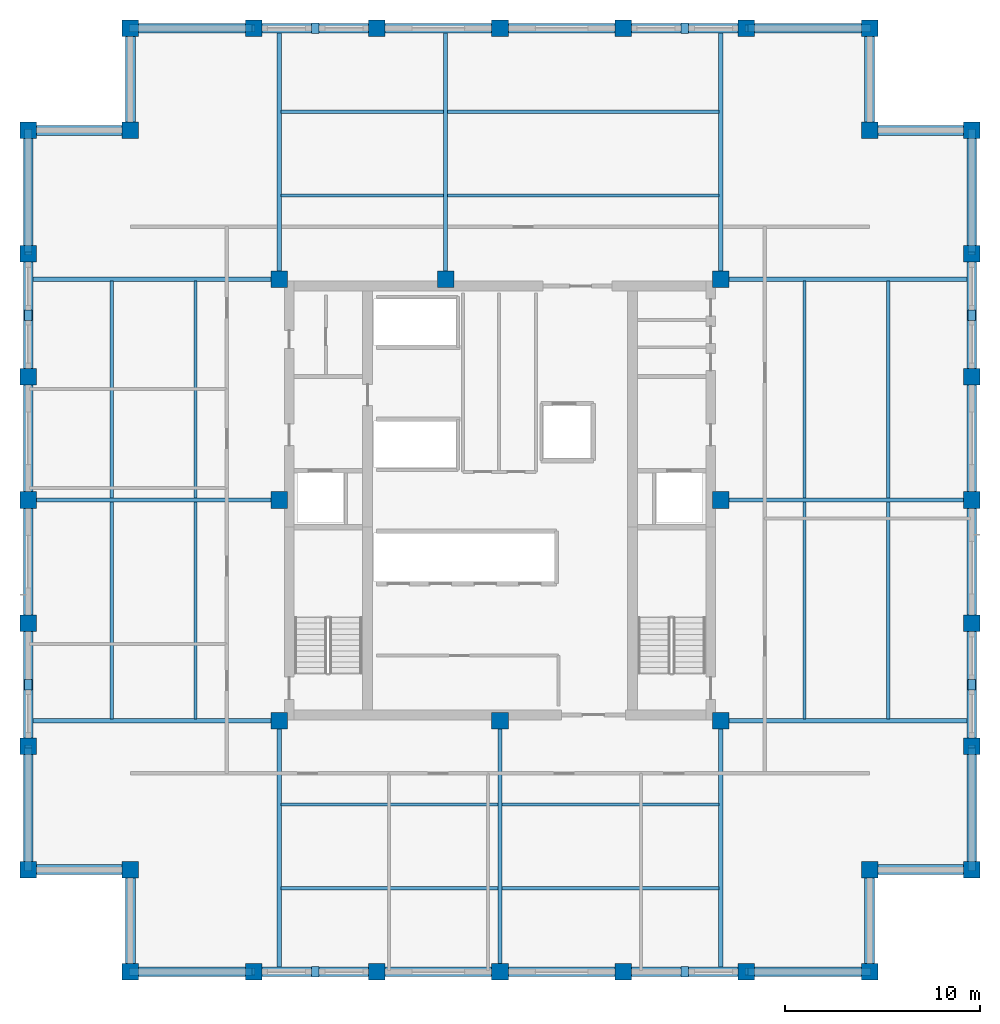
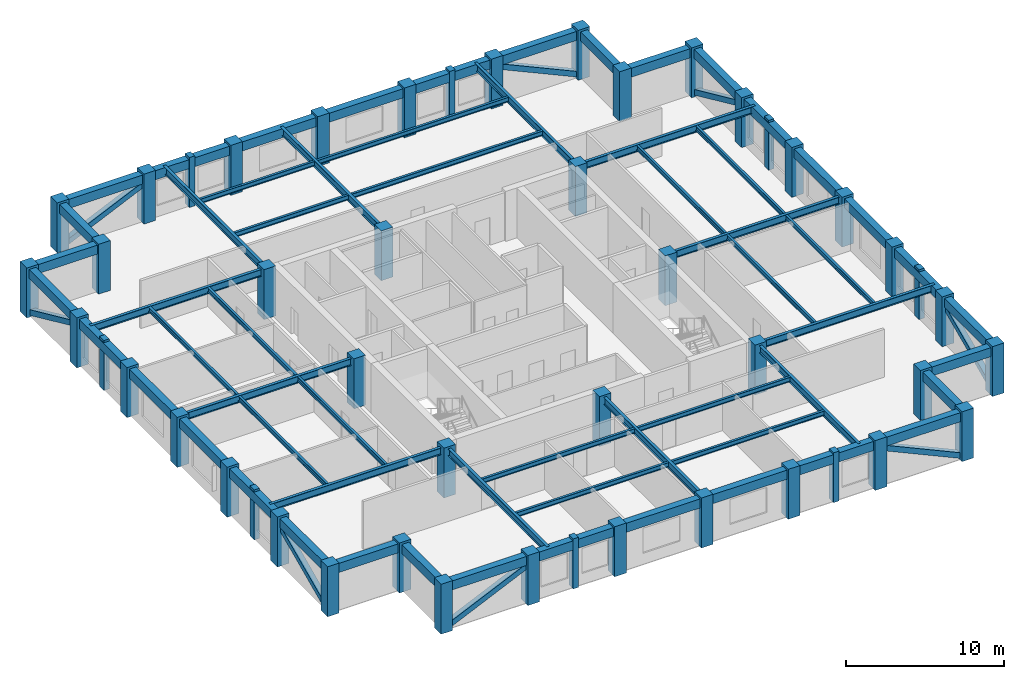
# One storey, part 1 of 9: 60 beams, 40 columns, 16 members.
"""IFC4 building model written with IfcOpenShell, lengths in metres."""

from ifc_helpers import new_model, si_unit, direction, frame, origin, origin_2d, place, context, subcontext, project, spatial, rectangle, hollow_rectangle, i_section, extrude, material, material_profile, profile_set, type_object, element, save


model = new_model("IFC4")

# Units and contexts
model_context = context("Model", 3, precision=1e-05, world=origin(), true_north=direction((0.0, 1.0)))
body_context = subcontext(model_context, "Body", "Model", "MODEL_VIEW")
ifc_project = project(units=[si_unit("LENGTHUNIT", "METRE"), si_unit("AREAUNIT", "SQUARE_METRE"), si_unit("VOLUMEUNIT", "CUBIC_METRE"), si_unit("PLANEANGLEUNIT", "RADIAN"), si_unit("MASSUNIT", "GRAM", prefix="KILO")], contexts=[model_context])

# Site, building, storey
site_placement = place(None, origin())
site = spatial("IfcSite", under=ifc_project, at=site_placement, CompositionType="ELEMENT")
building_placement = place(site_placement, origin())
building = spatial("IfcBuilding", under=site, at=building_placement, Name="Nhamokura Convention Tower", CompositionType="ELEMENT")
storey_placement = place(building_placement, frame((0.0, 0.0, 229.25)))
storey = spatial("IfcBuildingStorey", under=building, at=storey_placement, Name="L56", CompositionType="ELEMENT", Elevation=229.25)

# Columns
ifc_material_1 = material(Name="Concrete C50/60", Category="concrete")
ifc_material_profile_1 = material_profile(ifc_material_1, rectangle(XDim=0.85009765625, YDim=0.85009765625, at=origin_2d()))
ifc_profile_set_1 = profile_set([ifc_material_profile_1], Name="Concrete C50/60")
column_type = type_object("IfcColumnType", Name="TubeColumn_Z3_850", PredefinedType="COLUMN", material=ifc_profile_set_1)
for number, where, z_axis, x_axis, name in (
    (1, (20.64990234375, 20.64990234375, 0.0), (0.0, 0.0, 1.0), (1.0, 0.0, 0.0), "L56 Core Column CC-SW"),
    (2, (32.0, 20.64990234375, 0.0), (0.0, 0.0, 1.0), (1.0, 0.0, 0.0), "L56 Core Column CC-S"),
    (3, (43.35009765625, 20.64990234375, 0.0), (0.0, 0.0, 1.0), (1.0, 0.0, 0.0), "L56 Core Column CC-SE"),
    (4, (43.35009765625, 32.0, 0.0), (0.0, 0.0, 1.0), (1.0, 0.0, 0.0), "L56 Core Column CC-E"),
    (5, (43.35009765625, 43.35009765625, 0.0), (0.0, 0.0, 1.0), (1.0, 0.0, 0.0), "L56 Core Column CC-NE"),
    (6, (29.199951171875, 43.35009765625, 0.0), (0.0, 0.0, 1.0), (1.0, 0.0, 0.0), "L56 Core Column CC-N"),
    (7, (20.64990234375, 43.35009765625, 0.0), (0.0, 0.0, 1.0), (1.0, 0.0, 0.0), "L56 Core Column CC-NW"),
    (8, (20.64990234375, 32.0, 0.0), (0.0, 0.0, 1.0), (1.0, 0.0, 0.0), "L56 Core Column CC-W"),
    (9, (13.0, 7.75, 0.0), (0.0, 0.0, 1.0), (1.0, 0.0, 0.0), "L56 Perimeter Tube Column SW1"),
    (10, (13.0, 13.0, 0.0), (0.0, 0.0, 1.0), (1.0, 0.0, 0.0), "L56 Perimeter Tube Column SW0"),
    (11, (7.75, 13.0, 0.0), (0.0, 0.0, 1.0), (1.0, 0.0, 0.0), "L56 Perimeter Tube Column SW2"),
    (12, (51.0, 7.75, 0.0), (0.0, 0.0, 1.0), (1.0, 0.0, 0.0), "L56 Perimeter Tube Column SE1"),
    (13, (51.0, 13.0, 0.0), (0.0, 0.0, 1.0), (1.0, 0.0, 0.0), "L56 Perimeter Tube Column SE0"),
    (14, (56.25, 13.0, 0.0), (0.0, 0.0, 1.0), (1.0, 0.0, 0.0), "L56 Perimeter Tube Column SE2"),
    (15, (56.25, 51.0, 0.0), (0.0, 0.0, 1.0), (1.0, 0.0, 0.0), "L56 Perimeter Tube Column NE1"),
    (16, (51.0, 51.0, 0.0), (0.0, 0.0, 1.0), (1.0, 0.0, 0.0), "L56 Perimeter Tube Column NE0"),
    (17, (51.0, 56.25, 0.0), (0.0, 0.0, 1.0), (1.0, 0.0, 0.0), "L56 Perimeter Tube Column NE2"),
    (18, (13.0, 56.25, 0.0), (0.0, 0.0, 1.0), (1.0, 0.0, 0.0), "L56 Perimeter Tube Column NW1"),
    (19, (13.0, 51.0, 0.0), (0.0, 0.0, 1.0), (1.0, 0.0, 0.0), "L56 Perimeter Tube Column NW0"),
    (20, (7.75, 51.0, 0.0), (0.0, 0.0, 1.0), (1.0, 0.0, 0.0), "L56 Perimeter Tube Column NW2"),
    (21, (19.333251953125, 7.75, 0.0), (0.0, 0.0, 1.0), (1.0, 0.0, 0.0), "L56 Perimeter Tube Column S1"),
    (22, (19.333251953125, 56.25, 0.0), (0.0, 0.0, 1.0), (1.0, 0.0, 0.0), "L56 Perimeter Tube Column N1"),
    (23, (7.75, 19.333251953125, 0.0), (0.0, 0.0, 1.0), (1.0, 0.0, 0.0), "L56 Perimeter Tube Column W1"),
    (24, (56.25, 19.333251953125, 0.0), (0.0, 0.0, 1.0), (1.0, 0.0, 0.0), "L56 Perimeter Tube Column E1"),
    (25, (25.666748046875, 7.75, 0.0), (0.0, 0.0, 1.0), (1.0, 0.0, 0.0), "L56 Perimeter Tube Column S2"),
    (26, (25.666748046875, 56.25, 0.0), (0.0, 0.0, 1.0), (1.0, 0.0, 0.0), "L56 Perimeter Tube Column N2"),
    (27, (7.75, 25.666748046875, 0.0), (0.0, 0.0, 1.0), (1.0, 0.0, 0.0), "L56 Perimeter Tube Column W2"),
    (28, (56.25, 25.666748046875, 0.0), (0.0, 0.0, 1.0), (1.0, 0.0, 0.0), "L56 Perimeter Tube Column E2"),
    (29, (32.0, 7.75, 0.0), (0.0, 0.0, 1.0), (1.0, 0.0, 0.0), "L56 Perimeter Tube Column S3"),
    (30, (32.0, 56.25, 0.0), (0.0, 0.0, 1.0), (1.0, 0.0, 0.0), "L56 Perimeter Tube Column N3"),
    (31, (7.75, 32.0, 0.0), (0.0, 0.0, 1.0), (1.0, 0.0, 0.0), "L56 Perimeter Tube Column W3"),
    (32, (56.25, 32.0, 0.0), (0.0, 0.0, 1.0), (1.0, 0.0, 0.0), "L56 Perimeter Tube Column E3"),
    (33, (38.333251953125, 7.75, 0.0), (0.0, 0.0, 1.0), (1.0, 0.0, 0.0), "L56 Perimeter Tube Column S4"),
    (34, (38.333251953125, 56.25, 0.0), (0.0, 0.0, 1.0), (1.0, 0.0, 0.0), "L56 Perimeter Tube Column N4"),
    (35, (7.75, 38.333251953125, 0.0), (0.0, 0.0, 1.0), (1.0, 0.0, 0.0), "L56 Perimeter Tube Column W4"),
    (36, (56.25, 38.333251953125, 0.0), (0.0, 0.0, 1.0), (1.0, 0.0, 0.0), "L56 Perimeter Tube Column E4"),
    (37, (44.666748046875, 7.75, 0.0), (0.0, 0.0, 1.0), (1.0, 0.0, 0.0), "L56 Perimeter Tube Column S5"),
    (38, (44.666748046875, 56.25, 0.0), (0.0, 0.0, 1.0), (1.0, 0.0, 0.0), "L56 Perimeter Tube Column N5"),
    (39, (7.75, 44.666748046875, 0.0), (0.0, 0.0, 1.0), (1.0, 0.0, 0.0), "L56 Perimeter Tube Column W5"),
    (40, (56.25, 44.666748046875, 0.0), (0.0, 0.0, 1.0), (1.0, 0.0, 0.0), "L56 Perimeter Tube Column E5"),
):
    element("IfcColumn", number, at=place(storey_placement, frame(where, z_axis=z_axis, x_axis=x_axis)), inside=storey, type_object=column_type, Name=name, PredefinedType="COLUMN", context=body_context, shape_type="SweptSolid", body=[
        extrude(rectangle(XDim=0.85009765625, YDim=0.85009765625, at=origin_2d()), origin(), (0.0, 0.0, 1.0), 3.85009765625),
    ])

# Members
ifc_material_2 = material(Name="Bronze-pigmented precast concrete C45/55", Category="concrete")
ifc_material_profile_2 = material_profile(ifc_material_2, rectangle(XDim=0.39990234375, YDim=0.550048828125, at=origin_2d()))
ifc_profile_set_2 = profile_set([ifc_material_profile_2], Name="Bronze-pigmented precast concrete C45/55")
member_type_1 = type_object("IfcMemberType", Name="BronzePilaster_550", PredefinedType="USERDEFINED", material=ifc_profile_set_2)
for number, where, z_axis, x_axis, name in (
    (41, (22.5, 7.75, 0.0), (0.0, 0.0, 1.0), (1.0, 0.0, 0.0), "L56 Engaged Frame Pilaster SOUTH 1"),
    (42, (41.5, 7.75, 0.0), (0.0, 0.0, 1.0), (1.0, 0.0, 0.0), "L56 Engaged Frame Pilaster SOUTH 4"),
    (43, (22.5, 56.25, 0.0), (0.0, 0.0, 1.0), (1.0, 0.0, 0.0), "L56 Engaged Frame Pilaster NORTH 1"),
    (44, (41.5, 56.25, 0.0), (0.0, 0.0, 1.0), (1.0, 0.0, 0.0), "L56 Engaged Frame Pilaster NORTH 4"),
    (45, (7.75, 22.5, 0.0), (0.0, 0.0, 1.0), (1.0, 0.0, 0.0), "L56 Engaged Frame Pilaster WEST 1"),
    (46, (7.75, 41.5, 0.0), (0.0, 0.0, 1.0), (1.0, 0.0, 0.0), "L56 Engaged Frame Pilaster WEST 4"),
    (47, (56.25, 22.5, 0.0), (0.0, 0.0, 1.0), (1.0, 0.0, 0.0), "L56 Engaged Frame Pilaster EAST 1"),
    (48, (56.25, 41.5, 0.0), (0.0, 0.0, 1.0), (1.0, 0.0, 0.0), "L56 Engaged Frame Pilaster EAST 4"),
):
    element("IfcMember", number, at=place(storey_placement, frame(where, z_axis=z_axis, x_axis=x_axis)), inside=storey, type_object=member_type_1, Name=name, ObjectType="PILASTER_TRIM", PredefinedType="USERDEFINED", context=body_context, shape_type="SweptSolid", body=[
        extrude(rectangle(XDim=0.39990234375, YDim=0.550048828125, at=origin_2d()), origin(), (0.0, 0.0, 1.0), 3.85009765625),
    ])

# Beams
ifc_material_3 = material(Name="Steel ASTM A992 Gr 50", Category="steel")
ifc_material_profile_3 = material_profile(ifc_material_3, i_section(OverallWidth=0.172119140625, OverallDepth=0.35791015625, WebThickness=0.0078125, FlangeThickness=0.01318359375, at=origin_2d()))
ifc_profile_set_3 = profile_set([ifc_material_profile_3], Name="Steel ASTM A992 Gr 50")
beam_type_1 = type_object("IfcBeamType", Name="FloorJoist_W360X57", PredefinedType="JOIST", material=ifc_profile_set_3)
for number, where, z_axis, x_axis, name in (
    (49, (20.75341796875, 12.050048828125, 3.506103515625), (1.0, 0.0, 0.0), (0.0, 1.0, 0.0), "L56 Composite Floor Joist S1A"),
    (50, (32.103515625, 12.050048828125, 3.506103515625), (1.0, 0.0, 0.0), (0.0, 1.0, 0.0), "L56 Composite Floor Joist S1B"),
    (51, (20.75341796875, 16.35009765625, 3.506103515625), (1.0, 0.0, 0.0), (0.0, 1.0, 0.0), "L56 Composite Floor Joist S2A"),
    (52, (32.103515625, 16.35009765625, 3.506103515625), (1.0, 0.0, 0.0), (0.0, 1.0, 0.0), "L56 Composite Floor Joist S2B"),
):
    element("IfcBeam", number, at=place(storey_placement, frame(where, z_axis=z_axis, x_axis=x_axis)), inside=storey, type_object=beam_type_1, Name=name, PredefinedType="JOIST", context=body_context, shape_type="SweptSolid", body=[
        extrude(i_section(OverallWidth=0.172119140625, OverallDepth=0.35791015625, WebThickness=0.0078125, FlangeThickness=0.01318359375, at=origin_2d()), origin(), (0.0, 0.0, 1.0), 11.14306640625),
    ])
beam_1_placement = place(storey_placement, frame((20.75341796875, 47.64990234375, 3.506103515625), z_axis=(1.0, 0.0, 0.0), x_axis=(0.0, 1.0, 0.0)))
element("IfcBeam", 53, at=beam_1_placement, inside=storey, type_object=beam_type_1, Name="L56 Composite Floor Joist N1A", PredefinedType="JOIST", context=body_context, shape_type="SweptSolid", body=[
    extrude(i_section(OverallWidth=0.172119140625, OverallDepth=0.35791015625, WebThickness=0.0078125, FlangeThickness=0.01318359375, at=origin_2d()), origin(), (0.0, 0.0, 1.0), 8.343017578125),
])
beam_2_placement = place(storey_placement, frame((29.303466796875, 47.64990234375, 3.506103515625), z_axis=(1.0, 0.0, 0.0), x_axis=(0.0, 1.0, 0.0)))
element("IfcBeam", 54, at=beam_2_placement, inside=storey, type_object=beam_type_1, Name="L56 Composite Floor Joist N1B", PredefinedType="JOIST", context=body_context, shape_type="SweptSolid", body=[
    extrude(i_section(OverallWidth=0.172119140625, OverallDepth=0.35791015625, WebThickness=0.0078125, FlangeThickness=0.01318359375, at=origin_2d()), origin(), (0.0, 0.0, 1.0), 13.943115234375),
])
beam_3_placement = place(storey_placement, frame((20.75341796875, 51.949951171875, 3.506103515625), z_axis=(1.0, 0.0, 0.0), x_axis=(0.0, 1.0, 0.0)))
element("IfcBeam", 55, at=beam_3_placement, inside=storey, type_object=beam_type_1, Name="L56 Composite Floor Joist N2A", PredefinedType="JOIST", context=body_context, shape_type="SweptSolid", body=[
    extrude(i_section(OverallWidth=0.172119140625, OverallDepth=0.35791015625, WebThickness=0.0078125, FlangeThickness=0.01318359375, at=origin_2d()), origin(), (0.0, 0.0, 1.0), 8.343017578125),
])
beam_4_placement = place(storey_placement, frame((29.303466796875, 51.949951171875, 3.506103515625), z_axis=(1.0, 0.0, 0.0), x_axis=(0.0, 1.0, 0.0)))
element("IfcBeam", 56, at=beam_4_placement, inside=storey, type_object=beam_type_1, Name="L56 Composite Floor Joist N2B", PredefinedType="JOIST", context=body_context, shape_type="SweptSolid", body=[
    extrude(i_section(OverallWidth=0.172119140625, OverallDepth=0.35791015625, WebThickness=0.0078125, FlangeThickness=0.01318359375, at=origin_2d()), origin(), (0.0, 0.0, 1.0), 13.943115234375),
])
for number, where, z_axis, x_axis, name in (
    (57, (12.050048828125, 20.75341796875, 3.506103515625), (0.0, 1.0, 0.0), (-1.0, 0.0, 0.0), "L56 Composite Floor Joist W1A"),
    (58, (12.050048828125, 32.103515625, 3.506103515625), (0.0, 1.0, 0.0), (-1.0, 0.0, 0.0), "L56 Composite Floor Joist W1B"),
    (59, (16.35009765625, 20.75341796875, 3.506103515625), (0.0, 1.0, 0.0), (-1.0, 0.0, 0.0), "L56 Composite Floor Joist W2A"),
    (60, (16.35009765625, 32.103515625, 3.506103515625), (0.0, 1.0, 0.0), (-1.0, 0.0, 0.0), "L56 Composite Floor Joist W2B"),
    (61, (47.64990234375, 20.75341796875, 3.506103515625), (0.0, 1.0, 0.0), (-1.0, 0.0, 0.0), "L56 Composite Floor Joist E1A"),
    (62, (47.64990234375, 32.103515625, 3.506103515625), (0.0, 1.0, 0.0), (-1.0, 0.0, 0.0), "L56 Composite Floor Joist E1B"),
    (63, (51.949951171875, 20.75341796875, 3.506103515625), (0.0, 1.0, 0.0), (-1.0, 0.0, 0.0), "L56 Composite Floor Joist E2A"),
    (64, (51.949951171875, 32.103515625, 3.506103515625), (0.0, 1.0, 0.0), (-1.0, 0.0, 0.0), "L56 Composite Floor Joist E2B"),
):
    element("IfcBeam", number, at=place(storey_placement, frame(where, z_axis=z_axis, x_axis=x_axis)), inside=storey, type_object=beam_type_1, Name=name, PredefinedType="JOIST", context=body_context, shape_type="SweptSolid", body=[
        extrude(i_section(OverallWidth=0.172119140625, OverallDepth=0.35791015625, WebThickness=0.0078125, FlangeThickness=0.01318359375, at=origin_2d()), origin(), (0.0, 0.0, 1.0), 11.14306640625),
    ])
ifc_material_4 = material(Name="Steel ASTM A992 Gr 50", Category="steel")
ifc_material_profile_4 = material_profile(ifc_material_4, i_section(OverallWidth=0.2109375, OverallDepth=0.5390625, WebThickness=0.01171875, FlangeThickness=0.018798828125, at=origin_2d()))
ifc_profile_set_4 = profile_set([ifc_material_profile_4], Name="Steel ASTM A992 Gr 50")
beam_type_2 = type_object("IfcBeamType", Name="PrimaryGirder_W530X109", PredefinedType="BEAM", material=ifc_profile_set_4)
for number, where, z_axis, x_axis, name in (
    (65, (20.64990234375, 7.75, 3.41552734375), (0.0, 1.0, 0.0), (-1.0, 0.0, 0.0), "L56 Primary Floor Girder PG-S1"),
    (66, (32.0, 7.75, 3.41552734375), (0.0, 1.0, 0.0), (-1.0, 0.0, 0.0), "L56 Primary Floor Girder PG-S2"),
    (67, (43.35009765625, 7.75, 3.41552734375), (0.0, 1.0, 0.0), (-1.0, 0.0, 0.0), "L56 Primary Floor Girder PG-S3"),
    (68, (20.64990234375, 43.35009765625, 3.41552734375), (0.0, 1.0, 0.0), (-1.0, 0.0, 0.0), "L56 Primary Floor Girder PG-N1"),
    (69, (29.199951171875, 43.35009765625, 3.41552734375), (0.0, 1.0, 0.0), (-1.0, 0.0, 0.0), "L56 Primary Floor Girder PG-N2"),
    (70, (43.35009765625, 43.35009765625, 3.41552734375), (0.0, 1.0, 0.0), (-1.0, 0.0, 0.0), "L56 Primary Floor Girder PG-N3"),
    (71, (7.75, 20.64990234375, 3.41552734375), (1.0, 0.0, 0.0), (0.0, 1.0, 0.0), "L56 Primary Floor Girder PG-W1"),
    (72, (7.75, 32.0, 3.41552734375), (1.0, 0.0, 0.0), (0.0, 1.0, 0.0), "L56 Primary Floor Girder PG-W2"),
    (73, (7.75, 43.35009765625, 3.41552734375), (1.0, 0.0, 0.0), (0.0, 1.0, 0.0), "L56 Primary Floor Girder PG-W3"),
    (74, (43.35009765625, 20.64990234375, 3.41552734375), (1.0, 0.0, 0.0), (0.0, 1.0, 0.0), "L56 Primary Floor Girder PG-E1"),
    (75, (43.35009765625, 32.0, 3.41552734375), (1.0, 0.0, 0.0), (0.0, 1.0, 0.0), "L56 Primary Floor Girder PG-E2"),
    (76, (43.35009765625, 43.35009765625, 3.41552734375), (1.0, 0.0, 0.0), (0.0, 1.0, 0.0), "L56 Primary Floor Girder PG-E3"),
):
    element("IfcBeam", number, at=place(storey_placement, frame(where, z_axis=z_axis, x_axis=x_axis)), inside=storey, type_object=beam_type_2, Name=name, PredefinedType="BEAM", context=body_context, shape_type="SweptSolid", body=[
        extrude(i_section(OverallWidth=0.2109375, OverallDepth=0.5390625, WebThickness=0.01171875, FlangeThickness=0.018798828125, at=origin_2d()), origin(), (0.0, 0.0, 1.0), 12.89990234375),
    ])

# Members
ifc_material_5 = material(Name="Steel ASTM A572 Gr 50", Category="steel")
ifc_material_profile_5 = material_profile(ifc_material_5, hollow_rectangle(XDim=0.39990234375, YDim=0.39990234375, WallThickness=0.02001953125, at=origin_2d()))
ifc_profile_set_5 = profile_set([ifc_material_profile_5], Name="Steel ASTM A572 Gr 50")
member_type_2 = type_object("IfcMemberType", Name="TubeBrace_HSS400", PredefinedType="BRACE", material=ifc_profile_set_5)
for number, where, z_axis, x_axis, name in (
    (77, (13.0, 7.75, 0.14990234375), (0.910027379678, 0.0, 0.41454814948), (0.0, 1.0, 0.0), "L56 Perimeter Tube Brace SOUTH Bay 0"),
    (78, (51.0, 7.75, 0.14990234375), (-0.910027379678, 0.0, 0.41454814948), (0.0, -1.0, 0.0), "L56 Perimeter Tube Brace SOUTH Bay 5"),
    (79, (13.0, 56.25, 0.14990234375), (0.910027379678, 0.0, 0.41454814948), (0.0, 1.0, 0.0), "L56 Perimeter Tube Brace NORTH Bay 0"),
    (80, (51.0, 56.25, 0.14990234375), (-0.910027379678, 0.0, 0.41454814948), (0.0, -1.0, 0.0), "L56 Perimeter Tube Brace NORTH Bay 5"),
    (81, (7.75, 13.0, 0.14990234375), (0.0, 0.910027379678, 0.41454814948), (-1.0, 0.0, 0.0), "L56 Perimeter Tube Brace WEST Bay 0"),
    (82, (7.75, 51.0, 0.14990234375), (0.0, -0.910027379678, 0.41454814948), (1.0, 0.0, 0.0), "L56 Perimeter Tube Brace WEST Bay 5"),
    (83, (56.25, 13.0, 0.14990234375), (0.0, 0.910027379678, 0.41454814948), (-1.0, 0.0, 0.0), "L56 Perimeter Tube Brace EAST Bay 0"),
    (84, (56.25, 51.0, 0.14990234375), (0.0, -0.910027379678, 0.41454814948), (1.0, 0.0, 0.0), "L56 Perimeter Tube Brace EAST Bay 5"),
):
    element("IfcMember", number, at=place(storey_placement, frame(where, z_axis=z_axis, x_axis=x_axis)), inside=storey, type_object=member_type_2, Name=name, PredefinedType="BRACE", context=body_context, shape_type="SweptSolid", body=[
        extrude(hollow_rectangle(XDim=0.39990234375, YDim=0.39990234375, WallThickness=0.02001953125, at=origin_2d()), origin(), (0.0, 0.0, 1.0), 6.95947265625),
    ])

# Beams
ifc_material_6 = material(Name="Concrete C50/60", Category="concrete")
ifc_material_profile_6 = material_profile(ifc_material_6, rectangle(XDim=0.5, YDim=0.699951171875, at=origin_2d()))
ifc_profile_set_6 = profile_set([ifc_material_profile_6], Name="Concrete C50/60")
beam_type_3 = type_object("IfcBeamType", Name="TubeSpandrel_700", PredefinedType="SPANDREL", material=ifc_profile_set_6)
beam_5_placement = place(storey_placement, frame((13.0, 7.75, 3.3349609375), z_axis=(1.0, 0.0, 0.0), x_axis=(0.0, 1.0, 0.0)))
element("IfcBeam", 85, at=beam_5_placement, inside=storey, type_object=beam_type_3, Name="L56 Perimeter Spandrel SOUTH 1", PredefinedType="SPANDREL", context=body_context, shape_type="SweptSolid", body=[
    extrude(rectangle(XDim=0.5, YDim=0.699951171875, at=origin_2d()), origin(), (0.0, 0.0, 1.0), 6.333251953125),
])
beam_6_placement = place(storey_placement, frame((19.333251953125, 7.75, 3.3349609375), z_axis=(1.0, 0.0, 0.0), x_axis=(0.0, 1.0, 0.0)))
element("IfcBeam", 86, at=beam_6_placement, inside=storey, type_object=beam_type_3, Name="L56 Perimeter Spandrel SOUTH 2", PredefinedType="SPANDREL", context=body_context, shape_type="SweptSolid", body=[
    extrude(rectangle(XDim=0.5, YDim=0.699951171875, at=origin_2d()), origin(), (0.0, 0.0, 1.0), 6.33349609375),
])
for number, where, z_axis, x_axis, name in (
    (87, (25.666748046875, 7.75, 3.3349609375), (1.0, 0.0, 0.0), (0.0, 1.0, 0.0), "L56 Perimeter Spandrel SOUTH 3"),
    (88, (32.0, 7.75, 3.3349609375), (1.0, 0.0, 0.0), (0.0, 1.0, 0.0), "L56 Perimeter Spandrel SOUTH 4"),
):
    element("IfcBeam", number, at=place(storey_placement, frame(where, z_axis=z_axis, x_axis=x_axis)), inside=storey, type_object=beam_type_3, Name=name, PredefinedType="SPANDREL", context=body_context, shape_type="SweptSolid", body=[
        extrude(rectangle(XDim=0.5, YDim=0.699951171875, at=origin_2d()), origin(), (0.0, 0.0, 1.0), 6.333251953125),
    ])
beam_7_placement = place(storey_placement, frame((38.333251953125, 7.75, 3.3349609375), z_axis=(1.0, 0.0, 0.0), x_axis=(0.0, 1.0, 0.0)))
element("IfcBeam", 89, at=beam_7_placement, inside=storey, type_object=beam_type_3, Name="L56 Perimeter Spandrel SOUTH 5", PredefinedType="SPANDREL", context=body_context, shape_type="SweptSolid", body=[
    extrude(rectangle(XDim=0.5, YDim=0.699951171875, at=origin_2d()), origin(), (0.0, 0.0, 1.0), 6.33349609375),
])
for number, where, z_axis, x_axis, name in (
    (90, (44.666748046875, 7.75, 3.3349609375), (1.0, 0.0, 0.0), (0.0, 1.0, 0.0), "L56 Perimeter Spandrel SOUTH 6"),
    (91, (13.0, 56.25, 3.3349609375), (1.0, 0.0, 0.0), (0.0, 1.0, 0.0), "L56 Perimeter Spandrel NORTH 1"),
):
    element("IfcBeam", number, at=place(storey_placement, frame(where, z_axis=z_axis, x_axis=x_axis)), inside=storey, type_object=beam_type_3, Name=name, PredefinedType="SPANDREL", context=body_context, shape_type="SweptSolid", body=[
        extrude(rectangle(XDim=0.5, YDim=0.699951171875, at=origin_2d()), origin(), (0.0, 0.0, 1.0), 6.333251953125),
    ])
beam_8_placement = place(storey_placement, frame((19.333251953125, 56.25, 3.3349609375), z_axis=(1.0, 0.0, 0.0), x_axis=(0.0, 1.0, 0.0)))
element("IfcBeam", 92, at=beam_8_placement, inside=storey, type_object=beam_type_3, Name="L56 Perimeter Spandrel NORTH 2", PredefinedType="SPANDREL", context=body_context, shape_type="SweptSolid", body=[
    extrude(rectangle(XDim=0.5, YDim=0.699951171875, at=origin_2d()), origin(), (0.0, 0.0, 1.0), 6.33349609375),
])
for number, where, z_axis, x_axis, name in (
    (93, (25.666748046875, 56.25, 3.3349609375), (1.0, 0.0, 0.0), (0.0, 1.0, 0.0), "L56 Perimeter Spandrel NORTH 3"),
    (94, (32.0, 56.25, 3.3349609375), (1.0, 0.0, 0.0), (0.0, 1.0, 0.0), "L56 Perimeter Spandrel NORTH 4"),
):
    element("IfcBeam", number, at=place(storey_placement, frame(where, z_axis=z_axis, x_axis=x_axis)), inside=storey, type_object=beam_type_3, Name=name, PredefinedType="SPANDREL", context=body_context, shape_type="SweptSolid", body=[
        extrude(rectangle(XDim=0.5, YDim=0.699951171875, at=origin_2d()), origin(), (0.0, 0.0, 1.0), 6.333251953125),
    ])
beam_9_placement = place(storey_placement, frame((38.333251953125, 56.25, 3.3349609375), z_axis=(1.0, 0.0, 0.0), x_axis=(0.0, 1.0, 0.0)))
element("IfcBeam", 95, at=beam_9_placement, inside=storey, type_object=beam_type_3, Name="L56 Perimeter Spandrel NORTH 5", PredefinedType="SPANDREL", context=body_context, shape_type="SweptSolid", body=[
    extrude(rectangle(XDim=0.5, YDim=0.699951171875, at=origin_2d()), origin(), (0.0, 0.0, 1.0), 6.33349609375),
])
for number, where, z_axis, x_axis, name in (
    (96, (44.666748046875, 56.25, 3.3349609375), (1.0, 0.0, 0.0), (0.0, 1.0, 0.0), "L56 Perimeter Spandrel NORTH 6"),
    (97, (7.75, 13.0, 3.3349609375), (0.0, 1.0, 0.0), (-1.0, 0.0, 0.0), "L56 Perimeter Spandrel WEST 1"),
):
    element("IfcBeam", number, at=place(storey_placement, frame(where, z_axis=z_axis, x_axis=x_axis)), inside=storey, type_object=beam_type_3, Name=name, PredefinedType="SPANDREL", context=body_context, shape_type="SweptSolid", body=[
        extrude(rectangle(XDim=0.5, YDim=0.699951171875, at=origin_2d()), origin(), (0.0, 0.0, 1.0), 6.333251953125),
    ])
beam_10_placement = place(storey_placement, frame((7.75, 19.333251953125, 3.3349609375), z_axis=(0.0, 1.0, 0.0), x_axis=(-1.0, 0.0, 0.0)))
element("IfcBeam", 98, at=beam_10_placement, inside=storey, type_object=beam_type_3, Name="L56 Perimeter Spandrel WEST 2", PredefinedType="SPANDREL", context=body_context, shape_type="SweptSolid", body=[
    extrude(rectangle(XDim=0.5, YDim=0.699951171875, at=origin_2d()), origin(), (0.0, 0.0, 1.0), 6.33349609375),
])
for number, where, z_axis, x_axis, name in (
    (99, (7.75, 25.666748046875, 3.3349609375), (0.0, 1.0, 0.0), (-1.0, 0.0, 0.0), "L56 Perimeter Spandrel WEST 3"),
    (100, (7.75, 32.0, 3.3349609375), (0.0, 1.0, 0.0), (-1.0, 0.0, 0.0), "L56 Perimeter Spandrel WEST 4"),
):
    element("IfcBeam", number, at=place(storey_placement, frame(where, z_axis=z_axis, x_axis=x_axis)), inside=storey, type_object=beam_type_3, Name=name, PredefinedType="SPANDREL", context=body_context, shape_type="SweptSolid", body=[
        extrude(rectangle(XDim=0.5, YDim=0.699951171875, at=origin_2d()), origin(), (0.0, 0.0, 1.0), 6.333251953125),
    ])
beam_11_placement = place(storey_placement, frame((7.75, 38.333251953125, 3.3349609375), z_axis=(0.0, 1.0, 0.0), x_axis=(-1.0, 0.0, 0.0)))
element("IfcBeam", 101, at=beam_11_placement, inside=storey, type_object=beam_type_3, Name="L56 Perimeter Spandrel WEST 5", PredefinedType="SPANDREL", context=body_context, shape_type="SweptSolid", body=[
    extrude(rectangle(XDim=0.5, YDim=0.699951171875, at=origin_2d()), origin(), (0.0, 0.0, 1.0), 6.33349609375),
])
for number, where, z_axis, x_axis, name in (
    (102, (7.75, 44.666748046875, 3.3349609375), (0.0, 1.0, 0.0), (-1.0, 0.0, 0.0), "L56 Perimeter Spandrel WEST 6"),
    (103, (56.25, 13.0, 3.3349609375), (0.0, 1.0, 0.0), (-1.0, 0.0, 0.0), "L56 Perimeter Spandrel EAST 1"),
):
    element("IfcBeam", number, at=place(storey_placement, frame(where, z_axis=z_axis, x_axis=x_axis)), inside=storey, type_object=beam_type_3, Name=name, PredefinedType="SPANDREL", context=body_context, shape_type="SweptSolid", body=[
        extrude(rectangle(XDim=0.5, YDim=0.699951171875, at=origin_2d()), origin(), (0.0, 0.0, 1.0), 6.333251953125),
    ])
beam_12_placement = place(storey_placement, frame((56.25, 19.333251953125, 3.3349609375), z_axis=(0.0, 1.0, 0.0), x_axis=(-1.0, 0.0, 0.0)))
element("IfcBeam", 104, at=beam_12_placement, inside=storey, type_object=beam_type_3, Name="L56 Perimeter Spandrel EAST 2", PredefinedType="SPANDREL", context=body_context, shape_type="SweptSolid", body=[
    extrude(rectangle(XDim=0.5, YDim=0.699951171875, at=origin_2d()), origin(), (0.0, 0.0, 1.0), 6.33349609375),
])
for number, where, z_axis, x_axis, name in (
    (105, (56.25, 25.666748046875, 3.3349609375), (0.0, 1.0, 0.0), (-1.0, 0.0, 0.0), "L56 Perimeter Spandrel EAST 3"),
    (106, (56.25, 32.0, 3.3349609375), (0.0, 1.0, 0.0), (-1.0, 0.0, 0.0), "L56 Perimeter Spandrel EAST 4"),
):
    element("IfcBeam", number, at=place(storey_placement, frame(where, z_axis=z_axis, x_axis=x_axis)), inside=storey, type_object=beam_type_3, Name=name, PredefinedType="SPANDREL", context=body_context, shape_type="SweptSolid", body=[
        extrude(rectangle(XDim=0.5, YDim=0.699951171875, at=origin_2d()), origin(), (0.0, 0.0, 1.0), 6.333251953125),
    ])
beam_13_placement = place(storey_placement, frame((56.25, 38.333251953125, 3.3349609375), z_axis=(0.0, 1.0, 0.0), x_axis=(-1.0, 0.0, 0.0)))
element("IfcBeam", 107, at=beam_13_placement, inside=storey, type_object=beam_type_3, Name="L56 Perimeter Spandrel EAST 5", PredefinedType="SPANDREL", context=body_context, shape_type="SweptSolid", body=[
    extrude(rectangle(XDim=0.5, YDim=0.699951171875, at=origin_2d()), origin(), (0.0, 0.0, 1.0), 6.33349609375),
])
beam_14_placement = place(storey_placement, frame((56.25, 44.666748046875, 3.3349609375), z_axis=(0.0, 1.0, 0.0), x_axis=(-1.0, 0.0, 0.0)))
element("IfcBeam", 108, at=beam_14_placement, inside=storey, type_object=beam_type_3, Name="L56 Perimeter Spandrel EAST 6", PredefinedType="SPANDREL", context=body_context, shape_type="SweptSolid", body=[
    extrude(rectangle(XDim=0.5, YDim=0.699951171875, at=origin_2d()), origin(), (0.0, 0.0, 1.0), 6.333251953125),
])
for number, where, z_axis, x_axis, name in (
    (109, (13.0, 7.75, 3.3349609375), (0.0, 1.0, 0.0), (-1.0, 0.0, 0.0), "L56 Notch Spandrel SW1"),
    (110, (13.0, 13.0, 3.3349609375), (-1.0, 0.0, 0.0), (0.0, -1.0, 0.0), "L56 Notch Spandrel SW2"),
    (111, (51.0, 7.75, 3.3349609375), (0.0, 1.0, 0.0), (-1.0, 0.0, 0.0), "L56 Notch Spandrel SE1"),
    (112, (51.0, 13.0, 3.3349609375), (1.0, 0.0, 0.0), (0.0, 1.0, 0.0), "L56 Notch Spandrel SE2"),
    (113, (56.25, 51.0, 3.3349609375), (-1.0, 0.0, 0.0), (0.0, -1.0, 0.0), "L56 Notch Spandrel NE1"),
    (114, (51.0, 51.0, 3.3349609375), (0.0, 1.0, 0.0), (-1.0, 0.0, 0.0), "L56 Notch Spandrel NE2"),
    (115, (13.0, 56.25, 3.3349609375), (0.0, -1.0, 0.0), (1.0, 0.0, 0.0), "L56 Notch Spandrel NW1"),
    (116, (13.0, 51.0, 3.3349609375), (-1.0, 0.0, 0.0), (0.0, -1.0, 0.0), "L56 Notch Spandrel NW2"),
):
    element("IfcBeam", number, at=place(storey_placement, frame(where, z_axis=z_axis, x_axis=x_axis)), inside=storey, type_object=beam_type_3, Name=name, PredefinedType="SPANDREL", context=body_context, shape_type="SweptSolid", body=[
        extrude(rectangle(XDim=0.5, YDim=0.699951171875, at=origin_2d()), origin(), (0.0, 0.0, 1.0), 5.25),
    ])

save(model, "model.ifc")
